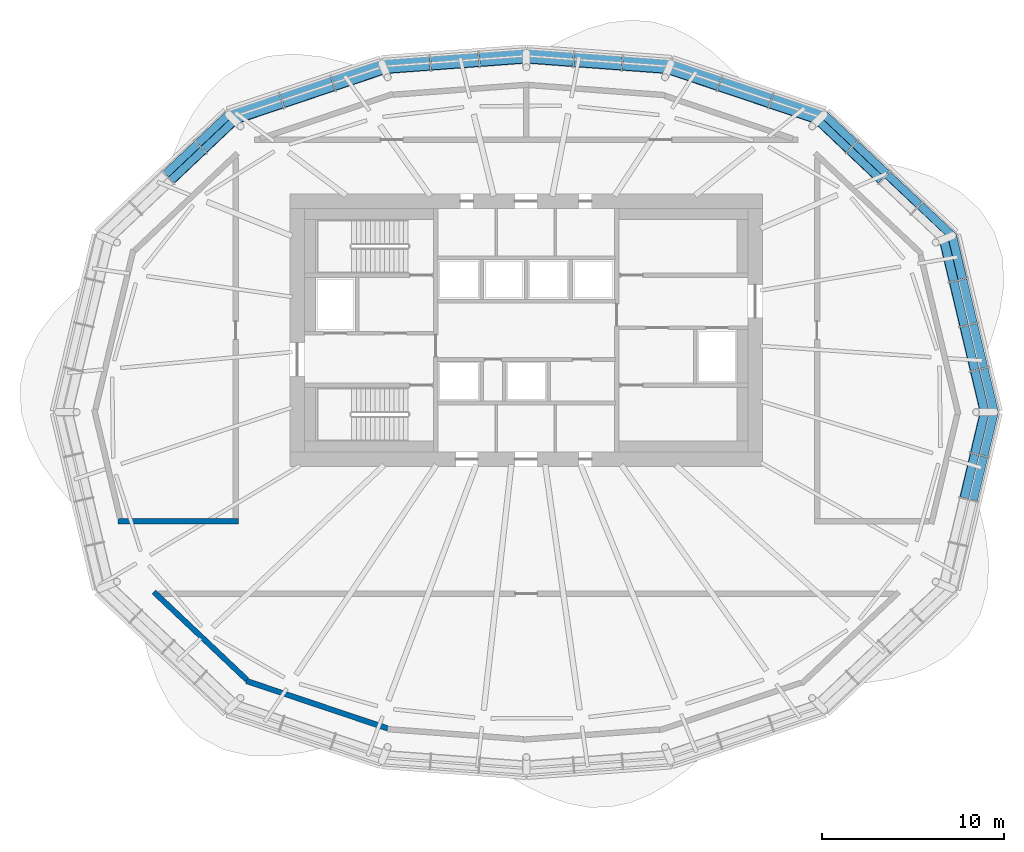
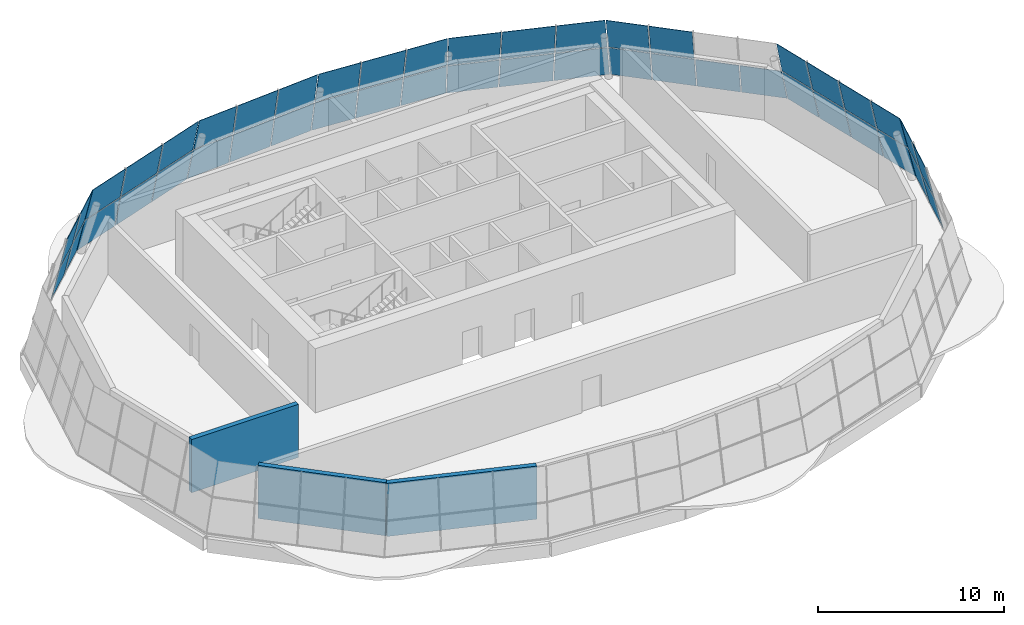
# One storey, part 6 of 9: 46 plates, 3 walls, 8 elements without a shape of their own.
"""IFC4 building model written with IfcOpenShell, lengths in metres."""

from ifc_helpers import new_model, si_unit, direction, frame, frame_2d, origin, place, context, subcontext, project, spatial, polyline, rectangle, outline, extrude, material, layer, layer_set, type_object, element, aggregate, save


model = new_model("IFC4")

# Units and contexts
model_context = context("Model", 3, precision=1e-05, world=origin(), true_north=direction((0.0, 1.0)))
body_context = subcontext(model_context, "Body", "Model", "MODEL_VIEW")
ifc_project = project(units=[si_unit("LENGTHUNIT", "METRE"), si_unit("AREAUNIT", "SQUARE_METRE"), si_unit("VOLUMEUNIT", "CUBIC_METRE"), si_unit("PLANEANGLEUNIT", "RADIAN"), si_unit("MASSUNIT", "GRAM", prefix="KILO")], contexts=[model_context])

# Site, building, storey
site_placement = place(None, origin())
site = spatial("IfcSite", under=ifc_project, at=site_placement, CompositionType="ELEMENT")
building_placement = place(site_placement, origin())
building = spatial("IfcBuilding", under=site, at=building_placement, Name="Rubra Terraces Tower", CompositionType="ELEMENT")
storey_placement = place(building_placement, frame((0.0, 0.0, 307.800048828125)))
storey = spatial("IfcBuildingStorey", under=building, at=storey_placement, Name="L76", CompositionType="ELEMENT", Elevation=307.800048828125)

# Curtain wall, plates
ifc_material_1 = material(Name="Aluminium and glass", Category="aluminium")
curtain_wall_type = type_object("IfcCurtainWallType", Name="Curtain wall Crown glazing", PredefinedType="NOTDEFINED", material=ifc_material_1)
curtain_wall_1_placement = place(storey_placement, origin())
curtain_wall_1 = element("IfcCurtainWall", 1, at=curtain_wall_1_placement, inside=storey, type_object=curtain_wall_type, Name="Crown glazing L76 facet 1", PredefinedType="NOTDEFINED")
ifc_material_2 = material(Name="Clear glass, laminated", Category="glass")
ifc_layer_1 = layer(ifc_material_2, 0.028076171875)
ifc_layer_set_1 = layer_set([ifc_layer_1], Name="Clear glass, laminated")
plate_type = type_object("IfcPlateType", Name="Crown glazing glass panel 28", PredefinedType="CURTAIN_PANEL", material=ifc_layer_set_1)
plate_1_placement = place(storey_placement, frame((25.986083984375, 0.029296875, 0.029052734375), z_axis=(0.947012958438, 0.224906370218, 0.229311101316), x_axis=(-0.231063333912, 0.972938711184, -6.2161e-07)))
plate_1 = element("IfcPlate", 2, at=plate_1_placement, type_object=plate_type, Name="Crown glazing L76 facet 1 panel 1.1", PredefinedType="CURTAIN_PANEL", context=body_context, shape_type="SweptSolid", body=[
    extrude(outline(polyline([(0.0, 0.0), (2.4766888510935963, -2.7755575615628914e-17), (2.476751375262561, 2.0976451530185334), (0.11423292300963449, 2.0976420625682457), (0.0, 0.0)])), origin(), (0.0, 0.0, -1.0), 0.028076171875),
])
plate_2_placement = place(storey_placement, frame((25.4775390625, 0.029296875, 2.129150390625), z_axis=(0.947026308186, 0.224821330779, 0.229339357353), x_axis=(-0.230977648222, 0.972959056704, -1.76386e-07)))
plate_2 = element("IfcPlate", 3, at=plate_2_placement, type_object=plate_type, Name="Crown glazing L76 facet 1 panel 1.2", PredefinedType="CURTAIN_PANEL", context=body_context, shape_type="SweptSolid", body=[
    extrude(outline(polyline([(0.0, 0.0), (2.3592048735253734, 0.0), (2.3592259443012065, 2.097407519726521), (0.11419147038720324, 2.0974066853625724), (0.0, 0.0)])), origin(), (0.0, 0.0, -1.0), 0.028076171875),
])
plate_3_placement = place(storey_placement, frame((25.39990234375, 2.497314453125, 0.029052734375), z_axis=(0.94704900378, 0.224793093638, 0.229273307413), x_axis=(-0.230946869833, 0.972966362855, 8.21853e-06)))
plate_3 = element("IfcPlate", 4, at=plate_3_placement, type_object=plate_type, Name="Crown glazing L76 facet 1 panel 2.1", PredefinedType="CURTAIN_PANEL", context=body_context, shape_type="SweptSolid", body=[
    extrude(outline(polyline([(0.0, 0.0), (2.4595775524422905, 2.7755575615628914e-17), (2.459306622926495, 2.0976036198453736), (2.2994613278732438e-05, 2.097645151982217), (0.0, 0.0)])), origin(), (0.0, 0.0, -1.0), 0.028076171875),
])
plate_4_placement = place(storey_placement, frame((24.918701171875, 2.383056640625, 2.129150390625), z_axis=(0.947020236823, 0.224846045412, 0.229340199073), x_axis=(-0.231003127129, 0.972953007733, 0.0)))
plate_4 = element("IfcPlate", 5, at=plate_4_placement, type_object=plate_type, Name="Crown glazing L76 facet 1 panel 2.2", PredefinedType="CURTAIN_PANEL", context=body_context, shape_type="SweptSolid", body=[
    extrude(outline(polyline([(0.0, 0.0), (2.4593400160205015, 0.0), (2.4593740434102562, 2.0974075195571227), (3.402738975477516e-05, 2.0974075195571227), (0.0, 0.0)])), origin(), (0.0, 0.0, -1.0), 0.028076171875),
])
plate_5_placement = place(storey_placement, frame((24.818115234375, 4.948486328125, 0.029052734375), z_axis=(0.947032785158, 0.224874393742, 0.229260574185), x_axis=(-0.231030268796, 0.97294656317, 1.0775414e-05)))
plate_5 = element("IfcPlate", 6, at=plate_5_placement, type_object=plate_type, Name="Crown glazing L76 facet 1 panel 3.1", PredefinedType="CURTAIN_PANEL", context=body_context, shape_type="SweptSolid", body=[
    extrude(outline(polyline([(0.0, 0.0), (2.4596339545770345, 0.0), (2.4596469974378428, 2.097590692627742), (6.944673502643342e-05, 2.0976451496259374), (0.0, 0.0)])), origin(), (0.0, 0.0, -1.0), 0.028076171875),
])
plate_6_placement = place(storey_placement, frame((24.336669921875, 4.83447265625, 2.129150390625), z_axis=(0.947019894718, 0.224834494211, 0.229352935935), x_axis=(-0.230992558639, 0.97295551689, 2.559521e-06)))
plate_6 = element("IfcPlate", 7, at=plate_6_placement, type_object=plate_type, Name="Crown glazing L76 facet 1 panel 3.2", PredefinedType="CURTAIN_PANEL", context=body_context, shape_type="SweptSolid", body=[
    extrude(outline(polyline([(0.0, 0.0), (2.459340015867358, 2.7755575615628914e-17), (2.4593740435634013, 2.0974075193775477), (-0.0002035102719476248, 2.097420454251918), (0.0, 0.0)])), origin(), (0.0, 0.0, -1.0), 0.028076171875),
])
plate_7_placement = place(storey_placement, frame((24.236083984375, 7.39990234375, 0.029052734375), z_axis=(0.947023333537, 0.224852461809, 0.229321120167), x_axis=(-0.231008331812, 0.972951771997, -1.398421e-06)))
plate_7 = element("IfcPlate", 8, at=plate_7_placement, type_object=plate_type, Name="Crown glazing L76 facet 1 panel 4.1", PredefinedType="CURTAIN_PANEL", context=body_context, shape_type="SweptSolid", body=[
    extrude(outline(polyline([(0.0, 0.0), (2.4392654798344315, 0.0), (2.3620207207601576, 2.09765205163616), (3.374531958646326e-05, 2.0976451536369263), (0.0, 0.0)])), origin(), (0.0, 0.0, -1.0), 0.028076171875),
])
plate_8_placement = place(storey_placement, frame((23.754638671875, 7.28564453125, 2.129150390625), z_axis=(0.947016858974, 0.224865956514, 0.229334625429), x_axis=(-0.231023539331, 0.972948161144, 1.167165e-06)))
plate_8 = element("IfcPlate", 9, at=plate_8_placement, type_object=plate_type, Name="Crown glazing L76 facet 1 panel 4.2", PredefinedType="CURTAIN_PANEL", context=body_context, shape_type="SweptSolid", body=[
    extrude(outline(polyline([(0.0, 0.0), (2.3597363453918216, 0.0), (2.2827418794650063, 2.0974019524317127), (4.6501808143533674e-05, 2.0974075192832644), (0.0, 0.0)])), origin(), (0.0, 0.0, -1.0), 0.028076171875),
])
aggregate(curtain_wall_1, [plate_1, plate_2, plate_3, plate_4, plate_5, plate_6, plate_7, plate_8])

curtain_wall_2_placement = place(storey_placement, origin())
curtain_wall_2 = element("IfcCurtainWall", 10, at=curtain_wall_2_placement, inside=storey, type_object=curtain_wall_type, Name="Crown glazing L76 facet 2", PredefinedType="NOTDEFINED")
plate_9_placement = place(storey_placement, frame((23.643798828125, 9.822998046875, 0.029052734375), z_axis=(0.671277491611, 0.71001268909, 0.212763978595), x_axis=(-0.726651065764, 0.687006716562, 4.786775e-06)))
plate_9 = element("IfcPlate", 11, at=plate_9_placement, type_object=plate_type, Name="Crown glazing L76 facet 2 panel 1.1", PredefinedType="CURTAIN_PANEL", context=body_context, shape_type="SweptSolid", body=[
    extrude(outline(polyline([(0.0, 0.0), (2.4982994488405987, 0.0), (2.498341106324468, 2.089579897727415), (0.1991695489078684, 2.089603400262289), (0.0, 0.0)])), origin(), (0.0, 0.0, -1.0), 0.028076171875),
])
plate_10_placement = place(storey_placement, frame((21.78466796875, 11.58056640625, 0.029052734375), z_axis=(0.671271999256, 0.71001361282, 0.212778224039), x_axis=(-0.726652448678, 0.687005253816, -7.708965e-06)))
plate_10 = element("IfcPlate", 12, at=plate_10_placement, type_object=plate_type, Name="Crown glazing L76 facet 2 panel 2.1", PredefinedType="CURTAIN_PANEL", context=body_context, shape_type="SweptSolid", body=[
    extrude(outline(polyline([(0.0, 0.0), (2.392257032050031, -5.551115123125783e-17), (2.3921063453241445, 2.0896176437705876), (1.7039166158486175e-05, 2.089579897031644), (0.0, 0.0)])), origin(), (0.0, 0.0, -1.0), 0.028076171875),
])
plate_11_placement = place(storey_placement, frame((20.002685546875, 13.265380859375, 0.029052734375), z_axis=(0.671271999256, 0.71001361282, 0.212778224039), x_axis=(-0.726654755365, 0.687002814002, 7.709505e-06)))
plate_11 = element("IfcPlate", 13, at=plate_11_placement, type_object=plate_type, Name="Crown glazing L76 facet 2 panel 3.1", PredefinedType="CURTAIN_PANEL", context=body_context, shape_type="SweptSolid", body=[
    extrude(outline(polyline([(0.0, 0.0), (2.392089306455804, 0.0), (2.3921393188168416, 2.089579896502614), (-0.0001177129353500352, 2.0896176458882367), (0.0, 0.0)])), origin(), (0.0, 0.0, -1.0), 0.028076171875),
])
plate_12_placement = place(storey_placement, frame((19.688720703125, 12.93310546875, 2.129150390625), z_axis=(0.671218584608, 0.710056828492, 0.212802518758), x_axis=(-0.726702918996, 0.686951866919, 7.710283e-06)))
plate_12 = element("IfcPlate", 14, at=plate_12_placement, type_object=plate_type, Name="Crown glazing L76 facet 2 panel 3.2", PredefinedType="CURTAIN_PANEL", context=body_context, shape_type="SweptSolid", body=[
    extrude(outline(polyline([(0.0, 0.0), (2.3922667242190077, 1.1102230246251565e-16), (2.3923479022262883, 2.0893413440829764), (-8.653485085383836e-05, 2.0893791002809343), (0.0, 0.0)])), origin(), (0.0, 0.0, -1.0), 0.028076171875),
])
plate_13_placement = place(storey_placement, frame((18.220703125, 14.949951171875, 0.029052734375), z_axis=(0.671271858452, 0.710026127304, 0.21273690464), x_axis=(-0.726659742368, 0.686997539167, 1.57563e-07)))
plate_13 = element("IfcPlate", 15, at=plate_13_placement, type_object=plate_type, Name="Crown glazing L76 facet 2 panel 4.1", PredefinedType="CURTAIN_PANEL", context=body_context, shape_type="SweptSolid", body=[
    extrude(outline(polyline([(0.0, 0.0), (2.283630970596451, 2.7755575615628914e-17), (2.296103196041901, 2.089579160058787), (3.7820089379935474e-05, 2.089579898555653), (0.0, 0.0)])), origin(), (0.0, 0.0, -1.0), 0.028076171875),
])
plate_14_placement = place(storey_placement, frame((17.906494140625, 14.61767578125, 2.129150390625), z_axis=(0.671252164758, 0.710048975577, 0.21272278578), x_axis=(-0.72667970709, 0.686976421173, -7.416364e-06)))
plate_14 = element("IfcPlate", 16, at=plate_14_placement, type_object=plate_type, Name="Crown glazing L76 facet 2 panel 4.2", PredefinedType="CURTAIN_PANEL", context=body_context, shape_type="SweptSolid", body=[
    extrude(outline(polyline([(0.0, 0.0), (2.296410505757918, -2.7755575615628914e-17), (2.308880187550307, 2.0893406221831348), (-0.00014213549533047308, 2.089305666571599), (0.0, 0.0)])), origin(), (0.0, 0.0, -1.0), 0.028076171875),
])
aggregate(curtain_wall_2, [plate_9, plate_10, plate_11, plate_12, plate_13, plate_14])

curtain_wall_3_placement = place(storey_placement, origin())
curtain_wall_3 = element("IfcCurtainWall", 17, at=curtain_wall_3_placement, inside=storey, type_object=curtain_wall_type, Name="Crown glazing L76 facet 3", PredefinedType="NOTDEFINED")
plate_15_placement = place(storey_placement, frame((16.510986328125, 16.549072265625, 0.029296875), z_axis=(0.312751283609, 0.930322195176, 0.191539154652), x_axis=(-0.947871708982, 0.31865219798, -5.840274e-06)))
plate_15 = element("IfcPlate", 18, at=plate_15_placement, type_object=plate_type, Name="Crown glazing L76 facet 3 panel 1.1", PredefinedType="CURTAIN_PANEL", context=body_context, shape_type="SweptSolid", body=[
    extrude(outline(polyline([(0.0, 0.0), (3.0444744714207617, -2.7755575615628914e-17), (3.0444474958018577, 2.0797848181193856), (0.19784812002928273, 2.079749763598363), (0.0, 0.0)])), origin(), (0.0, 0.0, -1.0), 0.028076171875),
])
plate_16_placement = place(storey_placement, frame((16.1875, 16.2255859375, 2.129150390625), z_axis=(0.312776404473, 0.93033283426, 0.191446437167), x_axis=(-0.947865697333, 0.318670079866, 4.106314e-06)))
plate_16 = element("IfcPlate", 19, at=plate_16_placement, type_object=plate_type, Name="Crown glazing L76 facet 3 panel 1.2", PredefinedType="CURTAIN_PANEL", context=body_context, shape_type="SweptSolid", body=[
    extrude(outline(polyline([(0.0, 0.0), (2.840963695734997, 2.7755575615628914e-17), (2.840795895549274, 2.079965227891392), (0.19786091120461263, 2.0799881708756622), (0.0, 0.0)])), origin(), (0.0, 0.0, -1.0), 0.028076171875),
])
plate_17_placement = place(storey_placement, frame((13.568359375, 17.538330078125, 0.029296875), z_axis=(0.312763161863, 0.930320216471, 0.191529369566), x_axis=(-0.947867750628, 0.318663972334, -7.419275e-06)))
plate_17 = element("IfcPlate", 20, at=plate_17_placement, type_object=plate_type, Name="Crown glazing L76 facet 3 panel 2.1", PredefinedType="CURTAIN_PANEL", context=body_context, shape_type="SweptSolid", body=[
    extrude(outline(polyline([(0.0, 0.0), (2.931679140569881, 5.551115123125783e-17), (2.9316439922712485, 2.079784816968494), (4.265052273879224e-05, 2.0797404951442178), (0.0, 0.0)])), origin(), (0.0, 0.0, -1.0), 0.028076171875),
])
plate_18_placement = place(storey_placement, frame((13.437744140625, 17.14990234375, 2.129150390625), z_axis=(0.312804583198, 0.930321862023, 0.191453717048), x_axis=(-0.947855634408, 0.318700009917, 0.0)))
plate_18 = element("IfcPlate", 21, at=plate_18_placement, type_object=plate_type, Name="Crown glazing L76 facet 3 panel 2.2", PredefinedType="CURTAIN_PANEL", context=body_context, shape_type="SweptSolid", body=[
    extrude(outline(polyline([(0.0, 0.0), (2.931679142769455, 2.7755575615628914e-17), (2.93172179769131, 2.0799801221439136), (4.265492185498432e-05, 2.0799801221439136), (0.0, 0.0)])), origin(), (0.0, 0.0, -1.0), 0.028076171875),
])
plate_19_placement = place(storey_placement, frame((10.732666015625, 18.49169921875, 0.029296875), z_axis=(0.312797344516, 0.930305366954, 0.191545674657), x_axis=(-0.947856489557, 0.318697466535, 5.373989e-06)))
plate_19 = element("IfcPlate", 22, at=plate_19_placement, type_object=plate_type, Name="Crown glazing L76 facet 3 panel 3.1", PredefinedType="CURTAIN_PANEL", context=body_context, shape_type="SweptSolid", body=[
    extrude(outline(polyline([(0.0, 0.0), (2.8162584823727403, 5.551115123125783e-17), (2.843334499452304, 2.079753830232115), (-2.3113828332494973e-05, 2.0797848187367145), (0.0, 0.0)])), origin(), (0.0, 0.0, -1.0), 0.028076171875),
])
plate_20_placement = place(storey_placement, frame((10.602294921875, 18.103271484375, 2.129150390625), z_axis=(0.312802356087, 0.930315545044, 0.19148804839), x_axis=(-0.947855681275, 0.318699870527, 2.43245e-07)))
plate_20 = element("IfcPlate", 23, at=plate_20_placement, type_object=plate_type, Name="Crown glazing L76 facet 3 panel 3.2", PredefinedType="CURTAIN_PANEL", context=body_context, shape_type="SweptSolid", body=[
    extrude(outline(polyline([(0.0, 0.0), (2.8443610614235277, 2.7755575615628914e-17), (2.8714255952245136, 2.0799936035432207), (0.0002746201483772217, 2.079995020027496), (0.0, 0.0)])), origin(), (0.0, 0.0, -1.0), 0.028076171875),
])
aggregate(curtain_wall_3, [plate_15, plate_16, plate_17, plate_18, plate_19, plate_20])

curtain_wall_4_placement = place(storey_placement, origin())
curtain_wall_4 = element("IfcCurtainWall", 24, at=curtain_wall_4_placement, inside=storey, type_object=curtain_wall_type, Name="Crown glazing L76 facet 4", PredefinedType="NOTDEFINED")
plate_21_placement = place(storey_placement, frame((8.0048828125, 19.40087890625, 0.029296875), z_axis=(0.072739943783, 0.980495843616, 0.182583682814), x_axis=(-0.997259553095, 0.073982320285, 6.825852e-06)))
plate_21 = element("IfcPlate", 25, at=plate_21_placement, type_object=plate_type, Name="Crown glazing L76 facet 4 panel 1.1", PredefinedType="CURTAIN_PANEL", context=body_context, shape_type="SweptSolid", body=[
    extrude(outline(polyline([(0.0, 0.0), (2.6743137298431234, 0.0), (2.6743667786117524, 2.0761407799257086), (0.12489184709110136, 2.076177046362736), (0.0, 0.0)])), origin(), (0.0, 0.0, -1.0), 0.028076171875),
])
plate_22_placement = place(storey_placement, frame((7.847900390625, 19.021484375, 2.12939453125), z_axis=(0.072734958728, 0.980496240973, 0.1825835349), x_axis=(-0.997259933802, 0.073977188259, 7.148071e-06)))
plate_22 = element("IfcPlate", 26, at=plate_22_placement, type_object=plate_type, Name="Crown glazing L76 facet 4 panel 1.2", PredefinedType="CURTAIN_PANEL", context=body_context, shape_type="SweptSolid", body=[
    extrude(outline(polyline([(0.0, 0.0), (2.5457867343143814, -6.938893903907228e-18), (2.545842391047969, 2.076140779872441), (0.1248944560999106, 2.076176889431906), (0.0, 0.0)])), origin(), (0.0, 0.0, -1.0), 0.028076171875),
])
plate_23_placement = place(storey_placement, frame((5.278076171875, 19.60302734375, 0.029296875), z_axis=(0.072705545348, 0.980496656807, 0.182593016479), x_axis=(-0.997261930282, 0.073950269383, -8.321264e-06)))
plate_23 = element("IfcPlate", 27, at=plate_23_placement, type_object=plate_type, Name="Crown glazing L76 facet 4 panel 2.1", PredefinedType="CURTAIN_PANEL", context=body_context, shape_type="SweptSolid", body=[
    extrude(outline(polyline([(0.0, 0.0), (2.6263404302953206, 0.0), (2.626356685328656, 2.07618523544396), (3.430929832119652e-05, 2.0761407792771958), (0.0, 0.0)])), origin(), (0.0, 0.0, -1.0), 0.028076171875),
])
plate_24_placement = place(storey_placement, frame((5.249267578125, 19.214111328125, 2.12939453125), z_axis=(0.072748457758, 0.980504810367, 0.182532130709), x_axis=(-0.9972588788, 0.073991409326, 6.17137e-07)))
plate_24 = element("IfcPlate", 28, at=plate_24_placement, type_object=plate_type, Name="Crown glazing L76 facet 4 panel 2.2", PredefinedType="CURTAIN_PANEL", context=body_context, shape_type="SweptSolid", body=[
    extrude(outline(polyline([(0.0, 0.0), (2.6265839044114845, -6.938893903907228e-18), (2.626377354224006, 2.0761374854943826), (3.6921218478767786e-05, 2.076140782663448), (0.0, 0.0)])), origin(), (0.0, 0.0, -1.0), 0.028076171875),
])
plate_25_placement = place(storey_placement, frame((2.59912109375, 19.8017578125, 0.029296875), z_axis=(0.072696548224, 0.9805134304, 0.182506505861), x_axis=(-0.997262873902, 0.073937543356, 4.461942e-06)))
plate_25 = element("IfcPlate", 29, at=plate_25_placement, type_object=plate_type, Name="Crown glazing L76 facet 4 panel 3.1", PredefinedType="CURTAIN_PANEL", context=body_context, shape_type="SweptSolid", body=[
    extrude(outline(polyline([(0.0, 0.0), (2.5763832443258314, 6.938893903907228e-18), (2.5483047503894722, 2.0761175246606705), (6.523918022709942e-05, 2.0761407810302326), (0.0, 0.0)])), origin(), (0.0, 0.0, -1.0), 0.028076171875),
])
plate_26_placement = place(storey_placement, frame((2.5703125, 19.412841796875, 2.12939453125), z_axis=(0.072722641942, 0.980500193903, 0.182567212566), x_axis=(-0.997260735056, 0.073966386314, -3.400197e-06)))
plate_26 = element("IfcPlate", 30, at=plate_26_placement, type_object=plate_type, Name="Crown glazing L76 facet 4 panel 3.2", PredefinedType="CURTAIN_PANEL", context=body_context, shape_type="SweptSolid", body=[
    extrude(outline(polyline([(0.0, 0.0), (2.5475090964905602, 6.938893903907228e-18), (2.519385538743033, 2.0761616012488173), (0.00028170171128678173, 2.076144079284101), (0.0, 0.0)])), origin(), (0.0, 0.0, -1.0), 0.028076171875),
])
aggregate(curtain_wall_4, [plate_21, plate_22, plate_23, plate_24, plate_25, plate_26])

curtain_wall_5_placement = place(storey_placement, origin())
curtain_wall_5 = element("IfcCurtainWall", 31, at=curtain_wall_5_placement, inside=storey, type_object=curtain_wall_type, Name="Crown glazing L76 facet 5", PredefinedType="NOTDEFINED")
plate_27_placement = place(storey_placement, frame((-0.02978515625, 19.9921875, 0.029541015625), z_axis=(-0.072696258565, 0.980509523544, 0.182527609499), x_axis=(-0.997262873916, -0.073937543165, -4.46244e-06)))
plate_27 = element("IfcPlate", 32, at=plate_27_placement, type_object=plate_type, Name="Crown glazing L76 facet 5 panel 1.1", PredefinedType="CURTAIN_PANEL", context=body_context, shape_type="SweptSolid", body=[
    extrude(outline(polyline([(0.0, 0.0), (2.576383244325837, -6.938893903907228e-18), (2.576318005145598, 2.0759007426636678), (0.028078493936371345, 2.075877483604919), (0.0, 0.0)])), origin(), (0.0, 0.0, -1.0), 0.028076171875),
])
plate_28_placement = place(storey_placement, frame((-0.02978515625, 19.601318359375, 2.12939453125), z_axis=(-0.072722351986, 0.980496284501, 0.18258832274), x_axis=(-0.997260735045, -0.07396638646, 3.400576e-06)))
plate_28 = element("IfcPlate", 33, at=plate_28_placement, type_object=plate_type, Name="Crown glazing L76 facet 5 panel 1.2", PredefinedType="CURTAIN_PANEL", context=body_context, shape_type="SweptSolid", body=[
    extrude(outline(polyline([(0.0, 0.0), (2.5475090964905642, 6.938893903907228e-18), (2.5472273947792705, 2.075904041298912), (0.028123557747534143, 2.075921565289686), (0.0, 0.0)])), origin(), (0.0, 0.0, -1.0), 0.028076171875),
])
plate_29_placement = place(storey_placement, frame((-2.658935546875, 19.79736328125, 0.029541015625), z_axis=(-0.072705255378, 0.980492746313, 0.18261412943), x_axis=(-0.997261930255, -0.07395026974, 8.322193e-06)))
plate_29 = element("IfcPlate", 34, at=plate_29_placement, type_object=plate_type, Name="Crown glazing L76 facet 5 panel 2.1", PredefinedType="CURTAIN_PANEL", context=body_context, shape_type="SweptSolid", body=[
    extrude(outline(polyline([(0.0, 0.0), (2.626340430295343, 6.938893903907228e-18), (2.6263061209969782, 2.075900740910448), (-1.625503329151437e-05, 2.075945202217611), (0.0, 0.0)])), origin(), (0.0, 0.0, -1.0), 0.028076171875),
])
plate_30_placement = place(storey_placement, frame((-2.6298828125, 19.408447265625, 2.12939453125), z_axis=(-0.07274816781, 0.980500902449, 0.182553237106), x_axis=(-0.997258878802, -0.0739914093, -6.17206e-07)))
plate_30 = element("IfcPlate", 35, at=plate_30_placement, type_object=plate_type, Name="Crown glazing L76 facet 5 panel 2.2", PredefinedType="CURTAIN_PANEL", context=body_context, shape_type="SweptSolid", body=[
    extrude(outline(polyline([(0.0, 0.0), (2.6265839044114845, 6.938893903907228e-18), (2.626546983193006, 2.0759007442970647), (0.00020655018747851313, 2.0758974467467435), (0.0, 0.0)])), origin(), (0.0, 0.0, -1.0), 0.028076171875),
])
plate_31_placement = place(storey_placement, frame((-5.337890625, 19.5986328125, 0.029541015625), z_axis=(-0.072739653706, 0.980491933526, 0.182604794761), x_axis=(-0.997259553116, -0.073982319992, -6.826614e-06)))
plate_31 = element("IfcPlate", 36, at=plate_31_placement, type_object=plate_type, Name="Crown glazing L76 facet 5 panel 3.1", PredefinedType="CURTAIN_PANEL", context=body_context, shape_type="SweptSolid", body=[
    extrude(outline(polyline([(0.0, 0.0), (2.6743137298431385, 0.0), (2.5494218827520077, 2.0759370121895024), (-5.304876859935377e-05, 2.075900741559028), (0.0, 0.0)])), origin(), (0.0, 0.0, -1.0), 0.028076171875),
])
plate_32_placement = place(storey_placement, frame((-5.30908203125, 19.209716796875, 2.12939453125), z_axis=(-0.07273466867, 0.980492330888, 0.18260464683), x_axis=(-0.997259933824, -0.073977187953, -7.148869e-06)))
plate_32 = element("IfcPlate", 37, at=plate_32_placement, type_object=plate_type, Name="Crown glazing L76 facet 5 panel 3.2", PredefinedType="CURTAIN_PANEL", context=body_context, shape_type="SweptSolid", body=[
    extrude(outline(polyline([(0.0, 0.0), (2.545786734314397, -6.938893903907228e-18), (2.420892278214456, 2.0759368552405273), (-5.565673355701708e-05, 2.0759007415057535), (0.0, 0.0)])), origin(), (0.0, 0.0, -1.0), 0.028076171875),
])
aggregate(curtain_wall_5, [plate_27, plate_28, plate_29, plate_30, plate_31, plate_32])

curtain_wall_6_placement = place(storey_placement, origin())
curtain_wall_6 = element("IfcCurtainWall", 38, at=curtain_wall_6_placement, inside=storey, type_object=curtain_wall_type, Name="Crown glazing L76 facet 6", PredefinedType="NOTDEFINED")
plate_33_placement = place(storey_placement, frame((-8.063232421875, 19.38916015625, 0.029296875), z_axis=(-0.312762653857, 0.930328116042, 0.191491824507), x_axis=(-0.947869041878, -0.318660131558, 2.312387e-06)))
plate_33 = element("IfcPlate", 39, at=plate_33_placement, type_object=plate_type, Name="Crown glazing L76 facet 6 panel 1.1", PredefinedType="CURTAIN_PANEL", context=body_context, shape_type="SweptSolid", body=[
    extrude(outline(polyline([(0.0, 0.0), (2.816258483275792, -2.7755575615628914e-17), (2.8162037946715817, 2.079740497685054), (-0.027076015264778368, 2.0797538314785915), (0.0, 0.0)])), origin(), (0.0, 0.0, -1.0), 0.028076171875),
])
plate_34_placement = place(storey_placement, frame((-7.90625, 19.009521484375, 2.12939453125), z_axis=(-0.312766664798, 0.930334087382, 0.191456259353), x_axis=(-0.947869061585, -0.318660072846, -7.923485e-06)))
plate_34 = element("IfcPlate", 40, at=plate_34_placement, type_object=plate_type, Name="Crown glazing L76 facet 6 panel 1.2", PredefinedType="CURTAIN_PANEL", context=body_context, shape_type="SweptSolid", body=[
    extrude(outline(polyline([(0.0, 0.0), (2.8442832611067304, 0.0), (2.8439762404219384, 2.0797553899860786), (-0.02717473187310957, 2.079709250296486), (0.0, 0.0)])), origin(), (0.0, 0.0, -1.0), 0.028076171875),
])
plate_35_placement = place(storey_placement, frame((-10.78955078125, 18.472412109375, 0.029296875), z_axis=(-0.312769825525, 0.930340037664, 0.191422178864), x_axis=(-0.947868672852, -0.318661229163, -7.415477e-06)))
plate_35 = element("IfcPlate", 41, at=plate_35_placement, type_object=plate_type, Name="Crown glazing L76 facet 6 panel 2.1", PredefinedType="CURTAIN_PANEL", context=body_context, shape_type="SweptSolid", body=[
    extrude(outline(polyline([(0.0, 0.0), (2.931601342083459, 0.0), (2.93152725751234, 2.0797404942618942), (-0.00015188272277032544, 2.079696196067077), (0.0, 0.0)])), origin(), (0.0, 0.0, -1.0), 0.028076171875),
])
plate_36_placement = place(storey_placement, frame((-10.658935546875, 18.084228515625, 2.12939453125), z_axis=(-0.312803211794, 0.930317783286, 0.191475775995), x_axis=(-0.947855634408, -0.318700009917, 0.0)))
plate_36 = element("IfcPlate", 42, at=plate_36_placement, type_object=plate_type, Name="Crown glazing L76 facet 6 panel 2.2", PredefinedType="CURTAIN_PANEL", context=body_context, shape_type="SweptSolid", body=[
    extrude(outline(polyline([(0.0, 0.0), (2.931679142769455, 0.0), (2.9316364878476, 2.0797404982447283), (-4.265492185498432e-05, 2.0797404982447283), (0.0, 0.0)])), origin(), (0.0, 0.0, -1.0), 0.028076171875),
])
plate_37_placement = place(storey_placement, frame((-13.625244140625, 17.519287109375, 0.029296875), z_axis=(-0.312751283609, 0.930322195176, 0.191539154652), x_axis=(-0.947871708982, -0.31865219798, 5.840274e-06)))
plate_37 = element("IfcPlate", 43, at=plate_37_placement, type_object=plate_type, Name="Crown glazing L76 facet 6 panel 3.1", PredefinedType="CURTAIN_PANEL", context=body_context, shape_type="SweptSolid", body=[
    extrude(outline(polyline([(0.0, 0.0), (3.0444744714207617, 2.7755575615628914e-17), (2.846626351391479, 2.079749763598363), (2.6975618904524545e-05, 2.0797848181193856), (0.0, 0.0)])), origin(), (0.0, 0.0, -1.0), 0.028076171875),
])
plate_38_placement = place(storey_placement, frame((-13.49462890625, 17.130859375, 2.12939453125), z_axis=(-0.312775033296, 0.930328755784, 0.191468495339), x_axis=(-0.947865697392, -0.318670079691, -4.106769e-06)))
plate_38 = element("IfcPlate", 44, at=plate_38_placement, type_object=plate_type, Name="Crown glazing L76 facet 6 panel 3.2", PredefinedType="CURTAIN_PANEL", context=body_context, shape_type="SweptSolid", body=[
    extrude(outline(polyline([(0.0, 0.0), (2.8409636957350024, 0.0), (2.6431027845303787, 2.079748547903841), (0.00016780018573412948, 2.079725602276114), (0.0, 0.0)])), origin(), (0.0, 0.0, -1.0), 0.028076171875),
])
aggregate(curtain_wall_6, [plate_33, plate_34, plate_35, plate_36, plate_37, plate_38])

curtain_wall_7_placement = place(storey_placement, origin())
curtain_wall_7 = element("IfcCurtainWall", 45, at=curtain_wall_7_placement, inside=storey, type_object=curtain_wall_type, Name="Crown glazing L76 facet 7", PredefinedType="NOTDEFINED")
plate_39_placement = place(storey_placement, frame((-16.561279296875, 16.518798828125, 0.029296875), z_axis=(-0.671264590689, 0.710018439954, 0.212785488726), x_axis=(-0.726659742379, -0.686997539156, -1.57598e-07)))
plate_39 = element("IfcPlate", 46, at=plate_39_placement, type_object=plate_type, Name="Crown glazing L76 facet 7 panel 1.1", PredefinedType="CURTAIN_PANEL", context=body_context, shape_type="SweptSolid", body=[
    extrude(outline(polyline([(0.0, 0.0), (2.283630970596451, 0.0), (2.2835931505070706, 2.0891027969655793), (-0.012472225445450336, 2.089102058300058), (0.0, 0.0)])), origin(), (0.0, 0.0, -1.0), 0.028076171875),
])
plate_40_placement = place(storey_placement, frame((-16.23779296875, 16.1953125, 2.129150390625), z_axis=(-0.671285561757, 0.710029512389, 0.212682359667), x_axis=(-0.726654441048, -0.687003146503, -5.90276e-07)))
plate_40 = element("IfcPlate", 47, at=plate_40_placement, type_object=plate_type, Name="Crown glazing L76 facet 7 panel 1.2", PredefinedType="CURTAIN_PANEL", context=body_context, shape_type="SweptSolid", body=[
    extrude(outline(polyline([(0.0, 0.0), (2.2964105071447145, 8.326672684688674e-17), (2.2965526398663667, 2.089305668096052), (-0.01263740390772504, 2.0893028858688956), (0.0, 0.0)])), origin(), (0.0, 0.0, -1.0), 0.028076171875),
])
plate_41_placement = place(storey_placement, frame((-18.264404296875, 14.90869140625, 0.029296875), z_axis=(-0.671264728667, 0.710005922619, 0.212826816667), x_axis=(-0.726654755891, -0.687002813445, -7.711183e-06)))
plate_41 = element("IfcPlate", 48, at=plate_41_placement, type_object=plate_type, Name="Crown glazing L76 facet 7 panel 2.1", PredefinedType="CURTAIN_PANEL", context=body_context, shape_type="SweptSolid", body=[
    extrude(outline(polyline([(0.0, 0.0), (2.3920893064558384, 0.0), (2.3922070193911207, 2.0891405529186424), (-5.0012360969147295e-05, 2.08910279491211), (0.0, 0.0)])), origin(), (0.0, 0.0, -1.0), 0.028076171875),
])
plate_42_placement = place(storey_placement, frame((-17.9501953125, 14.576416015625, 2.129150390625), z_axis=(-0.671198318117, 0.710088133014, 0.212761982294), x_axis=(-0.726727238181, -0.686926139615, 0.0)))
plate_42 = element("IfcPlate", 49, at=plate_42_placement, type_object=plate_type, Name="Crown glazing L76 facet 7 panel 2.2", PredefinedType="CURTAIN_PANEL", context=body_context, shape_type="SweptSolid", body=[
    extrude(outline(polyline([(0.0, 0.0), (2.3922667257892503, 0.0), (2.392185550922508, 2.0893413458810044), (-8.11748667423895e-05, 2.0893413458810044), (0.0, 0.0)])), origin(), (0.0, 0.0, -1.0), 0.028076171875),
])
aggregate(curtain_wall_7, [plate_39, plate_40, plate_41, plate_42])

curtain_wall_8_placement = place(storey_placement, origin())
curtain_wall_8 = element("IfcCurtainWall", 50, at=curtain_wall_8_placement, inside=storey, type_object=curtain_wall_type, Name="Crown glazing L76 facet 16", PredefinedType="NOTDEFINED")
plate_43_placement = place(storey_placement, frame((24.831787109375, -4.890380859375, 0.029052734375), z_axis=(0.94704900378, -0.224793093638, 0.229273307413), x_axis=(0.230946869833, 0.972966362855, -8.21853e-06)))
plate_43 = element("IfcPlate", 51, at=plate_43_placement, type_object=plate_type, Name="Crown glazing L76 facet 16 panel 3.1", PredefinedType="CURTAIN_PANEL", context=body_context, shape_type="SweptSolid", body=[
    extrude(outline(polyline([(0.0, 0.0), (2.4595775524422905, -2.7755575615628914e-17), (2.4595545578290117, 2.097645151982217), (0.0002709295157954365, 2.0976036198453736), (0.0, 0.0)])), origin(), (0.0, 0.0, -1.0), 0.028076171875),
])
plate_44_placement = place(storey_placement, frame((24.3505859375, -4.77587890625, 2.129150390625), z_axis=(0.947020236823, -0.224846045412, 0.229340199073), x_axis=(0.231003127129, 0.972953007733, 0.0)))
plate_44 = element("IfcPlate", 52, at=plate_44_placement, type_object=plate_type, Name="Crown glazing L76 facet 16 panel 3.2", PredefinedType="CURTAIN_PANEL", context=body_context, shape_type="SweptSolid", body=[
    extrude(outline(polyline([(0.0, 0.0), (2.4593400160205015, 0.0), (2.4593059886307467, 2.0974075195571227), (-3.402738975477516e-05, 2.0974075195571227), (0.0, 0.0)])), origin(), (0.0, 0.0, -1.0), 0.028076171875),
])
plate_45_placement = place(storey_placement, frame((25.413818359375, -2.43896484375, 0.029052734375), z_axis=(0.947012958438, -0.224906370218, 0.229311101316), x_axis=(0.231063333912, 0.972938711184, 6.2161e-07)))
plate_45 = element("IfcPlate", 53, at=plate_45_placement, type_object=plate_type, Name="Crown glazing L76 facet 16 panel 4.1", PredefinedType="CURTAIN_PANEL", context=body_context, shape_type="SweptSolid", body=[
    extrude(outline(polyline([(0.0, 0.0), (2.4766888510935963, 2.7755575615628914e-17), (2.362455928083962, 2.0976420625682457), (-6.252416896550195e-05, 2.0976451530185334), (0.0, 0.0)])), origin(), (0.0, 0.0, -1.0), 0.028076171875),
])
plate_46_placement = place(storey_placement, frame((24.9326171875, -2.32470703125, 2.129150390625), z_axis=(0.947026308186, -0.224821330779, 0.229339357353), x_axis=(0.230977648222, 0.972959056704, 1.76386e-07)))
plate_46 = element("IfcPlate", 54, at=plate_46_placement, type_object=plate_type, Name="Crown glazing L76 facet 16 panel 4.2", PredefinedType="CURTAIN_PANEL", context=body_context, shape_type="SweptSolid", body=[
    extrude(outline(polyline([(0.0, 0.0), (2.3592048735253734, 0.0), (2.24501340313817, 2.0974066853625724), (-2.1070775833366226e-05, 2.097407519726521), (0.0, 0.0)])), origin(), (0.0, 0.0, -1.0), 0.028076171875),
])
aggregate(curtain_wall_8, [plate_43, plate_44, plate_45, plate_46])

# Walls
ifc_material_3 = material(Name="Blockwork", Category="masonry")
ifc_layer_2 = layer(ifc_material_3, 0.300048828125)
ifc_layer_set_2 = layer_set([ifc_layer_2], Name="Blockwork")
wall_type = type_object("IfcWallType", Name="Plant wall 300 blockwork", PredefinedType="SOLIDWALL", material=ifc_layer_set_2)
wall_1_placement = place(storey_placement, frame((-15.85009765625, -6.0, 0.0), z_axis=(0.0, 0.0, 1.0), x_axis=(-1.0, 0.0, 0.0)))
element("IfcWall", 55, at=wall_1_placement, inside=storey, type_object=wall_type, Name="Plant room wall", PredefinedType="SOLIDWALL", context=body_context, shape_type="SweptSolid", body=[
    extrude(rectangle(XDim=6.625, YDim=0.300048828125, at=frame_2d((3.3125, 0.0))), origin(), (0.0, 0.0, 1.0), 3.48388671875),
])
wall_2_placement = place(storey_placement, frame((-7.6259765625, -17.410888671875, 0.0), z_axis=(0.0, 0.0, 1.0), x_axis=(-0.947889107185, 0.318600440175, 0.0)))
element("IfcWall", 56, at=wall_2_placement, inside=storey, type_object=wall_type, Name="Plant room wall", PredefinedType="SOLIDWALL", context=body_context, shape_type="SweptSolid", body=[
    extrude(rectangle(XDim=8.207763671875, YDim=0.300048828125, at=frame_2d((4.10400390625, 0.0))), origin(), (0.0, 0.0, 1.0), 3.48388671875),
])
wall_3_placement = place(storey_placement, frame((-15.373046875, -14.740966796875, 0.0), z_axis=(0.0, 0.0, 1.0), x_axis=(-0.72668467972, 0.686971161156, 0.0)))
element("IfcWall", 57, at=wall_3_placement, inside=storey, type_object=wall_type, Name="Plant room wall", PredefinedType="SOLIDWALL", context=body_context, shape_type="SweptSolid", body=[
    extrude(rectangle(XDim=7.05126953125, YDim=0.300048828125, at=frame_2d((3.525634765625, 0.0))), origin(), (0.0, 0.0, 1.0), 3.48388671875),
])

save(model, "model.ifc")
